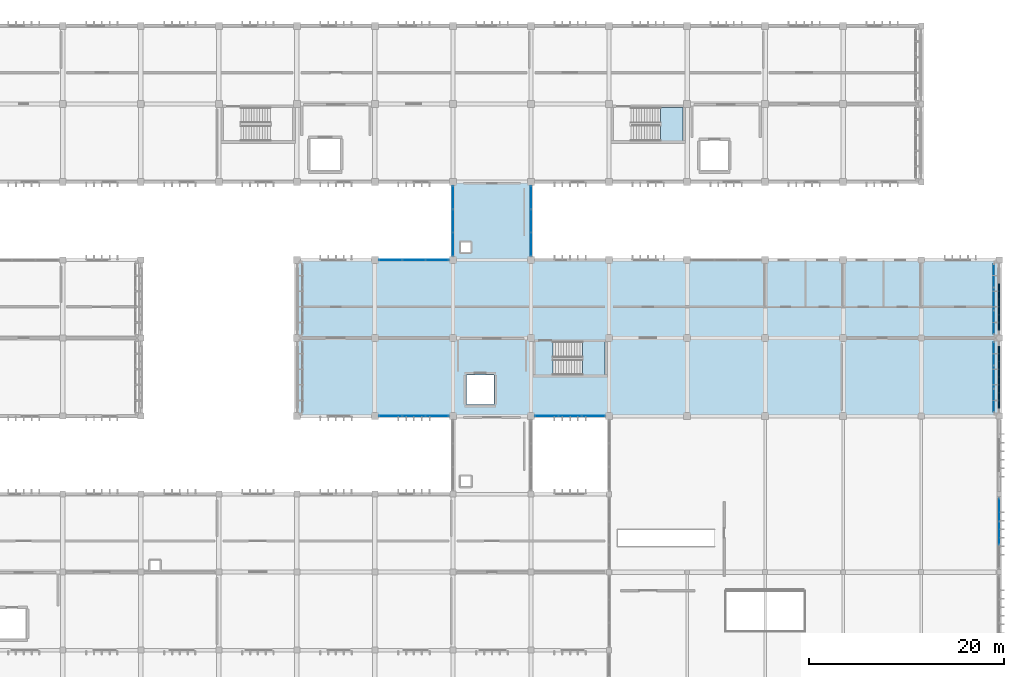
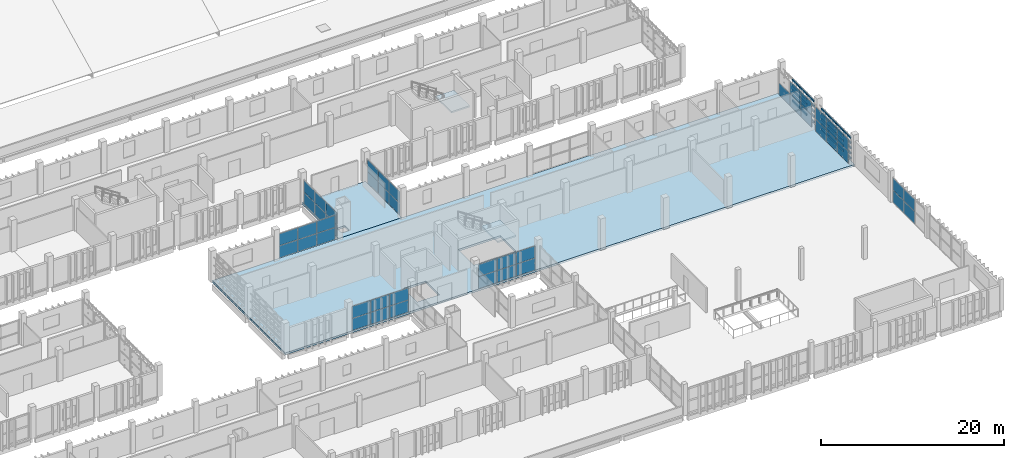
# One storey, part 96 of 137: 80 plates, 4 slabs, 10 elements without a shape of their own.
"""IFC4 building model written with IfcOpenShell, lengths in metres."""

from ifc_helpers import new_model, si_unit, direction, frame, origin, origin_2d, place, context, subcontext, project, spatial, polyline, rectangle, outline, extrude, material, layer, layer_set, type_object, element, aggregate, save


model = new_model("IFC4")

# Units and contexts
model_context = context("Model", 3, precision=1e-05, world=origin(), true_north=direction((0.0, 1.0)))
body_context = subcontext(model_context, "Body", "Model", "MODEL_VIEW")
ifc_project = project(units=[si_unit("LENGTHUNIT", "METRE"), si_unit("AREAUNIT", "SQUARE_METRE"), si_unit("VOLUMEUNIT", "CUBIC_METRE"), si_unit("PLANEANGLEUNIT", "RADIAN"), si_unit("MASSUNIT", "GRAM", prefix="KILO")], contexts=[model_context])

# Site, building, storey
site_placement = place(None, origin())
site = spatial("IfcSite", under=ifc_project, at=site_placement, CompositionType="ELEMENT")
building_placement = place(site_placement, origin())
building = spatial("IfcBuilding", under=site, at=building_placement, Name="Jelvoka-Kovrelna Polytechnic", CompositionType="ELEMENT")
storey_placement = place(building_placement, frame((0.0, 0.0, 9.60009765625)))
storey = spatial("IfcBuildingStorey", under=building, at=storey_placement, Name="L03", CompositionType="ELEMENT", Elevation=9.60009765625)

# Curtain wall, plates
ifc_material_1 = material(Name="Anodised aluminium 6063-T6", Category="aluminium")
ifc_layer_1 = layer(ifc_material_1, 0.159912109375)
ifc_layer_set_1 = layer_set([ifc_layer_1], Name="Anodised aluminium 6063-T6")
curtain_wall_type_1 = type_object("IfcCurtainWallType", Name="CW_Recessed_A", PredefinedType="NOTDEFINED", material=ifc_layer_set_1)
curtain_wall_1_placement = place(storey_placement, origin())
curtain_wall_1 = element("IfcCurtainWall", 1, at=curtain_wall_1_placement, inside=storey, type_object=curtain_wall_type_1, Name="L03 glazed curtain wall 054", PredefinedType="NOTDEFINED")
ifc_material_2 = material(Name="Solar-control double glazing", Category="glass")
ifc_layer_2 = layer(ifc_material_2, 0.028076171875)
ifc_layer_set_2 = layer_set([ifc_layer_2], Name="Solar-control double glazing")
plate_type_1 = type_object("IfcPlateType", Name="Panel_GP-01", PredefinedType="CURTAIN_PANEL", material=ifc_layer_set_2)
plate_1_placement = place(storey_placement, frame((142.385009765625, 32.0, 0.052001953125), z_axis=(0.0, 0.0, 1.0), x_axis=(-1.0, 0.0, 0.0)))
plate_1 = element("IfcPlate", 2, at=plate_1_placement, type_object=plate_type_1, Name="CW-01 panel 1.1", PredefinedType="CURTAIN_PANEL", context=body_context, shape_type="SweptSolid", body=[
    extrude(rectangle(XDim=2.326171875, YDim=0.028076171875, at=origin_2d()), origin(), (0.0, 0.0, 1.0), 1.588623046875),
])
plate_2_placement = place(storey_placement, frame((142.385009765625, 32.0, 1.684326171875), z_axis=(0.0, 0.0, 1.0), x_axis=(-1.0, 0.0, 0.0)))
plate_2 = element("IfcPlate", 3, at=plate_2_placement, type_object=plate_type_1, Name="CW-01 panel 1.2", PredefinedType="CURTAIN_PANEL", context=body_context, shape_type="SweptSolid", body=[
    extrude(rectangle(XDim=2.326171875, YDim=0.028076171875, at=origin_2d()), origin(), (0.0, 0.0, 1.0), 1.588623046875),
])
plate_3_placement = place(storey_placement, frame((140.0, 32.0, 0.052001953125), z_axis=(0.0, 0.0, 1.0), x_axis=(-1.0, 0.0, 0.0)))
plate_3 = element("IfcPlate", 4, at=plate_3_placement, type_object=plate_type_1, Name="CW-01 panel 2.1", PredefinedType="CURTAIN_PANEL", context=body_context, shape_type="SweptSolid", body=[
    extrude(rectangle(XDim=2.356201171875, YDim=0.028076171875, at=origin_2d()), origin(), (0.0, 0.0, 1.0), 1.588623046875),
])
plate_4_placement = place(storey_placement, frame((140.0, 32.0, 1.684326171875), z_axis=(0.0, 0.0, 1.0), x_axis=(-1.0, 0.0, 0.0)))
plate_4 = element("IfcPlate", 5, at=plate_4_placement, type_object=plate_type_1, Name="CW-01 panel 2.2", PredefinedType="CURTAIN_PANEL", context=body_context, shape_type="SweptSolid", body=[
    extrude(rectangle(XDim=2.356201171875, YDim=0.028076171875, at=origin_2d()), origin(), (0.0, 0.0, 1.0), 1.588623046875),
])
plate_5_placement = place(storey_placement, frame((137.614990234375, 32.0, 0.052001953125), z_axis=(0.0, 0.0, 1.0), x_axis=(-1.0, 0.0, 0.0)))
plate_5 = element("IfcPlate", 6, at=plate_5_placement, type_object=plate_type_1, Name="CW-01 panel 3.1", PredefinedType="CURTAIN_PANEL", context=body_context, shape_type="SweptSolid", body=[
    extrude(rectangle(XDim=2.326171875, YDim=0.028076171875, at=origin_2d()), origin(), (0.0, 0.0, 1.0), 1.588623046875),
])
plate_6_placement = place(storey_placement, frame((137.614990234375, 32.0, 1.684326171875), z_axis=(0.0, 0.0, 1.0), x_axis=(-1.0, 0.0, 0.0)))
plate_6 = element("IfcPlate", 7, at=plate_6_placement, type_object=plate_type_1, Name="CW-01 panel 3.2", PredefinedType="CURTAIN_PANEL", context=body_context, shape_type="SweptSolid", body=[
    extrude(rectangle(XDim=2.326171875, YDim=0.028076171875, at=origin_2d()), origin(), (0.0, 0.0, 1.0), 1.588623046875),
])
aggregate(curtain_wall_1, [plate_1, plate_2, plate_3, plate_4, plate_5, plate_6])

curtain_wall_2_placement = place(storey_placement, origin())
curtain_wall_2 = element("IfcCurtainWall", 8, at=curtain_wall_2_placement, inside=storey, type_object=curtain_wall_type_1, Name="L03 glazed curtain wall 055", PredefinedType="NOTDEFINED")
plate_7_placement = place(storey_placement, frame((137.614990234375, 48.0, 0.052001953125), z_axis=(0.0, 0.0, 1.0), x_axis=(1.0, 0.0, 0.0)))
plate_7 = element("IfcPlate", 9, at=plate_7_placement, type_object=plate_type_1, Name="CW-01 panel 1.1", PredefinedType="CURTAIN_PANEL", context=body_context, shape_type="SweptSolid", body=[
    extrude(rectangle(XDim=2.326171875, YDim=0.028076171875, at=origin_2d()), origin(), (0.0, 0.0, 1.0), 1.588623046875),
])
plate_8_placement = place(storey_placement, frame((137.614990234375, 48.0, 1.684326171875), z_axis=(0.0, 0.0, 1.0), x_axis=(1.0, 0.0, 0.0)))
plate_8 = element("IfcPlate", 10, at=plate_8_placement, type_object=plate_type_1, Name="CW-01 panel 1.2", PredefinedType="CURTAIN_PANEL", context=body_context, shape_type="SweptSolid", body=[
    extrude(rectangle(XDim=2.326171875, YDim=0.028076171875, at=origin_2d()), origin(), (0.0, 0.0, 1.0), 1.588623046875),
])
plate_9_placement = place(storey_placement, frame((140.0, 48.0, 0.052001953125), z_axis=(0.0, 0.0, 1.0), x_axis=(1.0, 0.0, 0.0)))
plate_9 = element("IfcPlate", 11, at=plate_9_placement, type_object=plate_type_1, Name="CW-01 panel 2.1", PredefinedType="CURTAIN_PANEL", context=body_context, shape_type="SweptSolid", body=[
    extrude(rectangle(XDim=2.356201171875, YDim=0.028076171875, at=origin_2d()), origin(), (0.0, 0.0, 1.0), 1.588623046875),
])
plate_10_placement = place(storey_placement, frame((140.0, 48.0, 1.684326171875), z_axis=(0.0, 0.0, 1.0), x_axis=(1.0, 0.0, 0.0)))
plate_10 = element("IfcPlate", 12, at=plate_10_placement, type_object=plate_type_1, Name="CW-01 panel 2.2", PredefinedType="CURTAIN_PANEL", context=body_context, shape_type="SweptSolid", body=[
    extrude(rectangle(XDim=2.356201171875, YDim=0.028076171875, at=origin_2d()), origin(), (0.0, 0.0, 1.0), 1.588623046875),
])
plate_11_placement = place(storey_placement, frame((142.385009765625, 48.0, 0.052001953125), z_axis=(0.0, 0.0, 1.0), x_axis=(1.0, 0.0, 0.0)))
plate_11 = element("IfcPlate", 13, at=plate_11_placement, type_object=plate_type_1, Name="CW-01 panel 3.1", PredefinedType="CURTAIN_PANEL", context=body_context, shape_type="SweptSolid", body=[
    extrude(rectangle(XDim=2.326171875, YDim=0.028076171875, at=origin_2d()), origin(), (0.0, 0.0, 1.0), 1.588623046875),
])
plate_12_placement = place(storey_placement, frame((142.385009765625, 48.0, 1.684326171875), z_axis=(0.0, 0.0, 1.0), x_axis=(1.0, 0.0, 0.0)))
plate_12 = element("IfcPlate", 14, at=plate_12_placement, type_object=plate_type_1, Name="CW-01 panel 3.2", PredefinedType="CURTAIN_PANEL", context=body_context, shape_type="SweptSolid", body=[
    extrude(rectangle(XDim=2.326171875, YDim=0.028076171875, at=origin_2d()), origin(), (0.0, 0.0, 1.0), 1.588623046875),
])
aggregate(curtain_wall_2, [plate_7, plate_8, plate_9, plate_10, plate_11, plate_12])

curtain_wall_3_placement = place(storey_placement, origin())
curtain_wall_3 = element("IfcCurtainWall", 15, at=curtain_wall_3_placement, inside=storey, type_object=curtain_wall_type_1, Name="L03 glazed curtain wall 056", PredefinedType="NOTDEFINED")
plate_13_placement = place(storey_placement, frame((158.385009765625, 32.0, 0.052001953125), z_axis=(0.0, 0.0, 1.0), x_axis=(-1.0, 0.0, 0.0)))
plate_13 = element("IfcPlate", 16, at=plate_13_placement, type_object=plate_type_1, Name="CW-01 panel 1.1", PredefinedType="CURTAIN_PANEL", context=body_context, shape_type="SweptSolid", body=[
    extrude(rectangle(XDim=2.326171875, YDim=0.028076171875, at=origin_2d()), origin(), (0.0, 0.0, 1.0), 1.588623046875),
])
plate_14_placement = place(storey_placement, frame((158.385009765625, 32.0, 1.684326171875), z_axis=(0.0, 0.0, 1.0), x_axis=(-1.0, 0.0, 0.0)))
plate_14 = element("IfcPlate", 17, at=plate_14_placement, type_object=plate_type_1, Name="CW-01 panel 1.2", PredefinedType="CURTAIN_PANEL", context=body_context, shape_type="SweptSolid", body=[
    extrude(rectangle(XDim=2.326171875, YDim=0.028076171875, at=origin_2d()), origin(), (0.0, 0.0, 1.0), 1.588623046875),
])
plate_15_placement = place(storey_placement, frame((156.0, 32.0, 0.052001953125), z_axis=(0.0, 0.0, 1.0), x_axis=(-1.0, 0.0, 0.0)))
plate_15 = element("IfcPlate", 18, at=plate_15_placement, type_object=plate_type_1, Name="CW-01 panel 2.1", PredefinedType="CURTAIN_PANEL", context=body_context, shape_type="SweptSolid", body=[
    extrude(rectangle(XDim=2.356201171875, YDim=0.028076171875, at=origin_2d()), origin(), (0.0, 0.0, 1.0), 1.588623046875),
])
plate_16_placement = place(storey_placement, frame((156.0, 32.0, 1.684326171875), z_axis=(0.0, 0.0, 1.0), x_axis=(-1.0, 0.0, 0.0)))
plate_16 = element("IfcPlate", 19, at=plate_16_placement, type_object=plate_type_1, Name="CW-01 panel 2.2", PredefinedType="CURTAIN_PANEL", context=body_context, shape_type="SweptSolid", body=[
    extrude(rectangle(XDim=2.356201171875, YDim=0.028076171875, at=origin_2d()), origin(), (0.0, 0.0, 1.0), 1.588623046875),
])
plate_17_placement = place(storey_placement, frame((153.614990234375, 32.0, 0.052001953125), z_axis=(0.0, 0.0, 1.0), x_axis=(-1.0, 0.0, 0.0)))
plate_17 = element("IfcPlate", 20, at=plate_17_placement, type_object=plate_type_1, Name="CW-01 panel 3.1", PredefinedType="CURTAIN_PANEL", context=body_context, shape_type="SweptSolid", body=[
    extrude(rectangle(XDim=2.326171875, YDim=0.028076171875, at=origin_2d()), origin(), (0.0, 0.0, 1.0), 1.588623046875),
])
plate_18_placement = place(storey_placement, frame((153.614990234375, 32.0, 1.684326171875), z_axis=(0.0, 0.0, 1.0), x_axis=(-1.0, 0.0, 0.0)))
plate_18 = element("IfcPlate", 21, at=plate_18_placement, type_object=plate_type_1, Name="CW-01 panel 3.2", PredefinedType="CURTAIN_PANEL", context=body_context, shape_type="SweptSolid", body=[
    extrude(rectangle(XDim=2.326171875, YDim=0.028076171875, at=origin_2d()), origin(), (0.0, 0.0, 1.0), 1.588623046875),
])
aggregate(curtain_wall_3, [plate_13, plate_14, plate_15, plate_16, plate_17, plate_18])

curtain_wall_4_placement = place(storey_placement, origin())
curtain_wall_4 = element("IfcCurtainWall", 22, at=curtain_wall_4_placement, inside=storey, type_object=curtain_wall_type_1, Name="L03 glazed curtain wall 060", PredefinedType="NOTDEFINED")
plate_19_placement = place(storey_placement, frame((199.43994140625, 38.385009765625, 0.0517578125), z_axis=(0.0, 0.0, 1.0), x_axis=(0.0, -1.0, 0.0)))
plate_19 = element("IfcPlate", 23, at=plate_19_placement, type_object=plate_type_1, Name="CW-01 panel 1.1", PredefinedType="CURTAIN_PANEL", context=body_context, shape_type="SweptSolid", body=[
    extrude(rectangle(XDim=2.326171875, YDim=0.028076171875, at=origin_2d()), origin(), (0.0, 0.0, 1.0), 1.60107421875),
])
plate_20_placement = place(storey_placement, frame((199.43994140625, 38.385009765625, 1.69677734375), z_axis=(0.0, 0.0, 1.0), x_axis=(0.0, -1.0, 0.0)))
plate_20 = element("IfcPlate", 24, at=plate_20_placement, type_object=plate_type_1, Name="CW-01 panel 1.2", PredefinedType="CURTAIN_PANEL", context=body_context, shape_type="SweptSolid", body=[
    extrude(rectangle(XDim=2.326171875, YDim=0.028076171875, at=origin_2d()), origin(), (0.0, 0.0, 1.0), 1.60107421875),
])
plate_21_placement = place(storey_placement, frame((199.43994140625, 36.0, 0.0517578125), z_axis=(0.0, 0.0, 1.0), x_axis=(0.0, -1.0, 0.0)))
plate_21 = element("IfcPlate", 25, at=plate_21_placement, type_object=plate_type_1, Name="CW-01 panel 2.1", PredefinedType="CURTAIN_PANEL", context=body_context, shape_type="SweptSolid", body=[
    extrude(rectangle(XDim=2.356201171875, YDim=0.028076171875, at=origin_2d()), origin(), (0.0, 0.0, 1.0), 1.60107421875),
])
plate_22_placement = place(storey_placement, frame((199.43994140625, 36.0, 1.69677734375), z_axis=(0.0, 0.0, 1.0), x_axis=(0.0, -1.0, 0.0)))
plate_22 = element("IfcPlate", 26, at=plate_22_placement, type_object=plate_type_1, Name="CW-01 panel 2.2", PredefinedType="CURTAIN_PANEL", context=body_context, shape_type="SweptSolid", body=[
    extrude(rectangle(XDim=2.356201171875, YDim=0.028076171875, at=origin_2d()), origin(), (0.0, 0.0, 1.0), 1.60107421875),
])
plate_23_placement = place(storey_placement, frame((199.43994140625, 33.614990234375, 0.0517578125), z_axis=(0.0, 0.0, 1.0), x_axis=(0.0, -1.0, 0.0)))
plate_23 = element("IfcPlate", 27, at=plate_23_placement, type_object=plate_type_1, Name="CW-01 panel 3.1", PredefinedType="CURTAIN_PANEL", context=body_context, shape_type="SweptSolid", body=[
    extrude(rectangle(XDim=2.326171875, YDim=0.028076171875, at=origin_2d()), origin(), (0.0, 0.0, 1.0), 1.60107421875),
])
plate_24_placement = place(storey_placement, frame((199.43994140625, 33.614990234375, 1.69677734375), z_axis=(0.0, 0.0, 1.0), x_axis=(0.0, -1.0, 0.0)))
plate_24 = element("IfcPlate", 28, at=plate_24_placement, type_object=plate_type_1, Name="CW-01 panel 3.2", PredefinedType="CURTAIN_PANEL", context=body_context, shape_type="SweptSolid", body=[
    extrude(rectangle(XDim=2.326171875, YDim=0.028076171875, at=origin_2d()), origin(), (0.0, 0.0, 1.0), 1.60107421875),
])
aggregate(curtain_wall_4, [plate_19, plate_20, plate_21, plate_22, plate_23, plate_24])

curtain_wall_5_placement = place(storey_placement, origin())
curtain_wall_5 = element("IfcCurtainWall", 29, at=curtain_wall_5_placement, inside=storey, type_object=curtain_wall_type_1, Name="L03 glazed curtain wall 061", PredefinedType="NOTDEFINED")
plate_25_placement = place(storey_placement, frame((199.43994140625, 46.385009765625, 0.0517578125), z_axis=(0.0, 0.0, 1.0), x_axis=(0.0, -1.0, 0.0)))
plate_25 = element("IfcPlate", 30, at=plate_25_placement, type_object=plate_type_1, Name="CW-01 panel 1.1", PredefinedType="CURTAIN_PANEL", context=body_context, shape_type="SweptSolid", body=[
    extrude(rectangle(XDim=2.326171875, YDim=0.028076171875, at=origin_2d()), origin(), (0.0, 0.0, 1.0), 1.60107421875),
])
plate_26_placement = place(storey_placement, frame((199.43994140625, 44.0, 0.0517578125), z_axis=(0.0, 0.0, 1.0), x_axis=(0.0, -1.0, 0.0)))
plate_26 = element("IfcPlate", 31, at=plate_26_placement, type_object=plate_type_1, Name="CW-01 panel 2.1", PredefinedType="CURTAIN_PANEL", context=body_context, shape_type="SweptSolid", body=[
    extrude(rectangle(XDim=2.356201171875, YDim=0.028076171875, at=origin_2d()), origin(), (0.0, 0.0, 1.0), 1.60107421875),
])
plate_27_placement = place(storey_placement, frame((199.43994140625, 44.0, 1.69677734375), z_axis=(0.0, 0.0, 1.0), x_axis=(0.0, -1.0, 0.0)))
plate_27 = element("IfcPlate", 32, at=plate_27_placement, type_object=plate_type_1, Name="CW-01 panel 2.2", PredefinedType="CURTAIN_PANEL", context=body_context, shape_type="SweptSolid", body=[
    extrude(rectangle(XDim=2.356201171875, YDim=0.028076171875, at=origin_2d()), origin(), (0.0, 0.0, 1.0), 1.60107421875),
])
plate_28_placement = place(storey_placement, frame((199.43994140625, 41.614990234375, 0.0517578125), z_axis=(0.0, 0.0, 1.0), x_axis=(0.0, -1.0, 0.0)))
plate_28 = element("IfcPlate", 33, at=plate_28_placement, type_object=plate_type_1, Name="CW-01 panel 3.1", PredefinedType="CURTAIN_PANEL", context=body_context, shape_type="SweptSolid", body=[
    extrude(rectangle(XDim=2.326171875, YDim=0.028076171875, at=origin_2d()), origin(), (0.0, 0.0, 1.0), 1.60107421875),
])
plate_29_placement = place(storey_placement, frame((199.43994140625, 41.614990234375, 1.69677734375), z_axis=(0.0, 0.0, 1.0), x_axis=(0.0, -1.0, 0.0)))
plate_29 = element("IfcPlate", 34, at=plate_29_placement, type_object=plate_type_1, Name="CW-01 panel 3.2", PredefinedType="CURTAIN_PANEL", context=body_context, shape_type="SweptSolid", body=[
    extrude(rectangle(XDim=2.326171875, YDim=0.028076171875, at=origin_2d()), origin(), (0.0, 0.0, 1.0), 1.60107421875),
])
aggregate(curtain_wall_5, [plate_25, plate_26, plate_27, plate_28, plate_29])

ifc_material_3 = material(Name="Anodised aluminium 6063-T6", Category="aluminium")
ifc_layer_3 = layer(ifc_material_3, 0.159912109375)
ifc_layer_set_3 = layer_set([ifc_layer_3], Name="Anodised aluminium 6063-T6")
curtain_wall_type_2 = type_object("IfcCurtainWallType", Name="CW_LinkBridge", PredefinedType="NOTDEFINED", material=ifc_layer_set_3)
curtain_wall_6_placement = place(storey_placement, origin())
curtain_wall_6 = element("IfcCurtainWall", 35, at=curtain_wall_6_placement, inside=storey, type_object=curtain_wall_type_2, Name="L03 glazed curtain wall 120", PredefinedType="NOTDEFINED")
ifc_material_4 = material(Name="Solar-control double glazing", Category="glass")
ifc_layer_4 = layer(ifc_material_4, 0.02392578125)
ifc_layer_set_4 = layer_set([ifc_layer_4], Name="Solar-control double glazing")
plate_type_2 = type_object("IfcPlateType", Name="Panel_GP-04", PredefinedType="CURTAIN_PANEL", material=ifc_layer_set_4)
plate_30_placement = place(storey_placement, frame((144.0, 49.614990234375, 0.0517578125), z_axis=(0.0, 0.0, 1.0), x_axis=(0.0, 1.0, 0.0)))
plate_30 = element("IfcPlate", 36, at=plate_30_placement, type_object=plate_type_2, Name="CW-04 panel 1.1", PredefinedType="CURTAIN_PANEL", context=body_context, shape_type="SweptSolid", body=[
    extrude(rectangle(XDim=2.326171875, YDim=0.02392578125, at=origin_2d()), origin(), (0.0, 0.0, 1.0), 1.53857421875),
])
plate_31_placement = place(storey_placement, frame((144.0, 49.614990234375, 1.63427734375), z_axis=(0.0, 0.0, 1.0), x_axis=(0.0, 1.0, 0.0)))
plate_31 = element("IfcPlate", 37, at=plate_31_placement, type_object=plate_type_2, Name="CW-04 panel 1.2", PredefinedType="CURTAIN_PANEL", context=body_context, shape_type="SweptSolid", body=[
    extrude(rectangle(XDim=2.326171875, YDim=0.02392578125, at=origin_2d()), origin(), (0.0, 0.0, 1.0), 1.53857421875),
])
plate_32_placement = place(storey_placement, frame((144.0, 52.0, 0.0517578125), z_axis=(0.0, 0.0, 1.0), x_axis=(0.0, 1.0, 0.0)))
plate_32 = element("IfcPlate", 38, at=plate_32_placement, type_object=plate_type_2, Name="CW-04 panel 2.1", PredefinedType="CURTAIN_PANEL", context=body_context, shape_type="SweptSolid", body=[
    extrude(rectangle(XDim=2.356201171875, YDim=0.02392578125, at=origin_2d()), origin(), (0.0, 0.0, 1.0), 1.53857421875),
])
plate_33_placement = place(storey_placement, frame((144.0, 52.0, 1.63427734375), z_axis=(0.0, 0.0, 1.0), x_axis=(0.0, 1.0, 0.0)))
plate_33 = element("IfcPlate", 39, at=plate_33_placement, type_object=plate_type_2, Name="CW-04 panel 2.2", PredefinedType="CURTAIN_PANEL", context=body_context, shape_type="SweptSolid", body=[
    extrude(rectangle(XDim=2.356201171875, YDim=0.02392578125, at=origin_2d()), origin(), (0.0, 0.0, 1.0), 1.53857421875),
])
plate_34_placement = place(storey_placement, frame((144.0, 54.385009765625, 0.0517578125), z_axis=(0.0, 0.0, 1.0), x_axis=(0.0, 1.0, 0.0)))
plate_34 = element("IfcPlate", 40, at=plate_34_placement, type_object=plate_type_2, Name="CW-04 panel 3.1", PredefinedType="CURTAIN_PANEL", context=body_context, shape_type="SweptSolid", body=[
    extrude(rectangle(XDim=2.326171875, YDim=0.02392578125, at=origin_2d()), origin(), (0.0, 0.0, 1.0), 1.53857421875),
])
plate_35_placement = place(storey_placement, frame((144.0, 54.385009765625, 1.63427734375), z_axis=(0.0, 0.0, 1.0), x_axis=(0.0, 1.0, 0.0)))
plate_35 = element("IfcPlate", 41, at=plate_35_placement, type_object=plate_type_2, Name="CW-04 panel 3.2", PredefinedType="CURTAIN_PANEL", context=body_context, shape_type="SweptSolid", body=[
    extrude(rectangle(XDim=2.326171875, YDim=0.02392578125, at=origin_2d()), origin(), (0.0, 0.0, 1.0), 1.53857421875),
])
aggregate(curtain_wall_6, [plate_30, plate_31, plate_32, plate_33, plate_34, plate_35])

curtain_wall_7_placement = place(storey_placement, origin())
curtain_wall_7 = element("IfcCurtainWall", 42, at=curtain_wall_7_placement, inside=storey, type_object=curtain_wall_type_2, Name="L03 glazed curtain wall 121", PredefinedType="NOTDEFINED")
plate_36_placement = place(storey_placement, frame((152.0, 54.385009765625, 0.0517578125), z_axis=(0.0, 0.0, 1.0), x_axis=(0.0, -1.0, 0.0)))
plate_36 = element("IfcPlate", 43, at=plate_36_placement, type_object=plate_type_2, Name="CW-04 panel 1.1", PredefinedType="CURTAIN_PANEL", context=body_context, shape_type="SweptSolid", body=[
    extrude(rectangle(XDim=2.326171875, YDim=0.02392578125, at=origin_2d()), origin(), (0.0, 0.0, 1.0), 1.53857421875),
])
plate_37_placement = place(storey_placement, frame((152.0, 54.385009765625, 1.63427734375), z_axis=(0.0, 0.0, 1.0), x_axis=(0.0, -1.0, 0.0)))
plate_37 = element("IfcPlate", 44, at=plate_37_placement, type_object=plate_type_2, Name="CW-04 panel 1.2", PredefinedType="CURTAIN_PANEL", context=body_context, shape_type="SweptSolid", body=[
    extrude(rectangle(XDim=2.326171875, YDim=0.02392578125, at=origin_2d()), origin(), (0.0, 0.0, 1.0), 1.53857421875),
])
plate_38_placement = place(storey_placement, frame((152.0, 52.0, 0.0517578125), z_axis=(0.0, 0.0, 1.0), x_axis=(0.0, -1.0, 0.0)))
plate_38 = element("IfcPlate", 45, at=plate_38_placement, type_object=plate_type_2, Name="CW-04 panel 2.1", PredefinedType="CURTAIN_PANEL", context=body_context, shape_type="SweptSolid", body=[
    extrude(rectangle(XDim=2.356201171875, YDim=0.02392578125, at=origin_2d()), origin(), (0.0, 0.0, 1.0), 1.53857421875),
])
plate_39_placement = place(storey_placement, frame((152.0, 52.0, 1.63427734375), z_axis=(0.0, 0.0, 1.0), x_axis=(0.0, -1.0, 0.0)))
plate_39 = element("IfcPlate", 46, at=plate_39_placement, type_object=plate_type_2, Name="CW-04 panel 2.2", PredefinedType="CURTAIN_PANEL", context=body_context, shape_type="SweptSolid", body=[
    extrude(rectangle(XDim=2.356201171875, YDim=0.02392578125, at=origin_2d()), origin(), (0.0, 0.0, 1.0), 1.53857421875),
])
plate_40_placement = place(storey_placement, frame((152.0, 49.614990234375, 0.0517578125), z_axis=(0.0, 0.0, 1.0), x_axis=(0.0, -1.0, 0.0)))
plate_40 = element("IfcPlate", 47, at=plate_40_placement, type_object=plate_type_2, Name="CW-04 panel 3.1", PredefinedType="CURTAIN_PANEL", context=body_context, shape_type="SweptSolid", body=[
    extrude(rectangle(XDim=2.326171875, YDim=0.02392578125, at=origin_2d()), origin(), (0.0, 0.0, 1.0), 1.53857421875),
])
plate_41_placement = place(storey_placement, frame((152.0, 49.614990234375, 1.63427734375), z_axis=(0.0, 0.0, 1.0), x_axis=(0.0, -1.0, 0.0)))
plate_41 = element("IfcPlate", 48, at=plate_41_placement, type_object=plate_type_2, Name="CW-04 panel 3.2", PredefinedType="CURTAIN_PANEL", context=body_context, shape_type="SweptSolid", body=[
    extrude(rectangle(XDim=2.326171875, YDim=0.02392578125, at=origin_2d()), origin(), (0.0, 0.0, 1.0), 1.53857421875),
])
aggregate(curtain_wall_7, [plate_36, plate_37, plate_38, plate_39, plate_40, plate_41])

ifc_material_5 = material(Name="Anodised aluminium 6063-T6", Category="aluminium")
ifc_layer_5 = layer(ifc_material_5, 0.179931640625)
ifc_layer_set_5 = layer_set([ifc_layer_5], Name="Anodised aluminium 6063-T6")
curtain_wall_type_3 = type_object("IfcCurtainWallType", Name="CW_Pavilion", PredefinedType="NOTDEFINED", material=ifc_layer_set_5)
curtain_wall_8_placement = place(storey_placement, origin())
curtain_wall_8 = element("IfcCurtainWall", 49, at=curtain_wall_8_placement, inside=storey, type_object=curtain_wall_type_3, Name="L03 glazed curtain wall 293", PredefinedType="NOTDEFINED")
ifc_material_6 = material(Name="Solar-control double glazing", Category="glass")
ifc_layer_6 = layer(ifc_material_6, 0.030029296875)
ifc_layer_set_6 = layer_set([ifc_layer_6], Name="Solar-control double glazing")
plate_type_3 = type_object("IfcPlateType", Name="Panel_GP-05", PredefinedType="CURTAIN_PANEL", material=ifc_layer_set_6)
plate_42_placement = place(storey_placement, frame((200.0, 22.3837890625, 0.056884765625), z_axis=(0.0, 0.0, 1.0), x_axis=(0.0, -1.0, 0.0)))
plate_42 = element("IfcPlate", 50, at=plate_42_placement, type_object=plate_type_3, Name="CW-05 panel 1.1", PredefinedType="CURTAIN_PANEL", context=body_context, shape_type="SweptSolid", body=[
    extrude(rectangle(XDim=2.318603515625, YDim=0.030029296875, at=origin_2d()), origin(), (0.0, 0.0, 1.0), 1.593505859375),
])
plate_43_placement = place(storey_placement, frame((200.0, 22.3837890625, 1.699462890625), z_axis=(0.0, 0.0, 1.0), x_axis=(0.0, -1.0, 0.0)))
plate_43 = element("IfcPlate", 51, at=plate_43_placement, type_object=plate_type_3, Name="CW-05 panel 1.2", PredefinedType="CURTAIN_PANEL", context=body_context, shape_type="SweptSolid", body=[
    extrude(rectangle(XDim=2.318603515625, YDim=0.030029296875, at=origin_2d()), origin(), (0.0, 0.0, 1.0), 1.593505859375),
])
plate_44_placement = place(storey_placement, frame((200.0, 20.0, 0.056884765625), z_axis=(0.0, 0.0, 1.0), x_axis=(0.0, -1.0, 0.0)))
plate_44 = element("IfcPlate", 52, at=plate_44_placement, type_object=plate_type_3, Name="CW-05 panel 2.1", PredefinedType="CURTAIN_PANEL", context=body_context, shape_type="SweptSolid", body=[
    extrude(rectangle(XDim=2.35107421875, YDim=0.030029296875, at=origin_2d()), origin(), (0.0, 0.0, 1.0), 1.593505859375),
])
plate_45_placement = place(storey_placement, frame((200.0, 20.0, 1.699462890625), z_axis=(0.0, 0.0, 1.0), x_axis=(0.0, -1.0, 0.0)))
plate_45 = element("IfcPlate", 53, at=plate_45_placement, type_object=plate_type_3, Name="CW-05 panel 2.2", PredefinedType="CURTAIN_PANEL", context=body_context, shape_type="SweptSolid", body=[
    extrude(rectangle(XDim=2.35107421875, YDim=0.030029296875, at=origin_2d()), origin(), (0.0, 0.0, 1.0), 1.593505859375),
])
aggregate(curtain_wall_8, [plate_42, plate_43, plate_44, plate_45])

# Plates
ifc_material_7 = material(Name="Perforated fired terracotta block", Category="masonry")
ifc_layer_7 = layer(ifc_material_7, 0.14990234375)
ifc_layer_set_7 = layer_set([ifc_layer_7], Name="Perforated fired terracotta block")
plate_type_4 = type_object("IfcPlateType", Name="Screen_Terracotta_TP03", PredefinedType="USERDEFINED", material=ifc_layer_set_7)
for number, where, z_axis, x_axis, name in (
    (54, (199.97998046875, 33.60009765625, 0.18994140625), (0.0, 0.0, 1.0), (0.0, 1.0, 0.0), "L03 perforated terracotta lattice band 0621"),
    (55, (199.97998046875, 33.60009765625, 0.88232421875), (0.0, 0.0, 1.0), (0.0, 1.0, 0.0), "L03 perforated terracotta lattice band 0622"),
    (56, (199.97998046875, 33.60009765625, 1.57470703125), (0.0, 0.0, 1.0), (0.0, 1.0, 0.0), "L03 perforated terracotta lattice band 0623"),
    (57, (199.97998046875, 33.60009765625, 2.267578125), (0.0, 0.0, 1.0), (0.0, 1.0, 0.0), "L03 perforated terracotta lattice band 0624"),
    (58, (199.97998046875, 33.60009765625, 2.9599609375), (0.0, 0.0, 1.0), (0.0, 1.0, 0.0), "L03 perforated terracotta lattice band 0625"),
    (59, (199.97998046875, 35.199951171875, 0.18994140625), (0.0, 0.0, 1.0), (0.0, 1.0, 0.0), "L03 perforated terracotta lattice band 0626"),
    (60, (199.97998046875, 35.199951171875, 0.88232421875), (0.0, 0.0, 1.0), (0.0, 1.0, 0.0), "L03 perforated terracotta lattice band 0627"),
    (61, (199.97998046875, 35.199951171875, 1.57470703125), (0.0, 0.0, 1.0), (0.0, 1.0, 0.0), "L03 perforated terracotta lattice band 0628"),
    (62, (199.97998046875, 35.199951171875, 2.267578125), (0.0, 0.0, 1.0), (0.0, 1.0, 0.0), "L03 perforated terracotta lattice band 0629"),
    (63, (199.97998046875, 35.199951171875, 2.9599609375), (0.0, 0.0, 1.0), (0.0, 1.0, 0.0), "L03 perforated terracotta lattice band 0630"),
    (64, (199.97998046875, 36.800048828125, 0.18994140625), (0.0, 0.0, 1.0), (0.0, 1.0, 0.0), "L03 perforated terracotta lattice band 0631"),
    (65, (199.97998046875, 36.800048828125, 0.88232421875), (0.0, 0.0, 1.0), (0.0, 1.0, 0.0), "L03 perforated terracotta lattice band 0632"),
    (66, (199.97998046875, 36.800048828125, 1.57470703125), (0.0, 0.0, 1.0), (0.0, 1.0, 0.0), "L03 perforated terracotta lattice band 0633"),
    (67, (199.97998046875, 36.800048828125, 2.267578125), (0.0, 0.0, 1.0), (0.0, 1.0, 0.0), "L03 perforated terracotta lattice band 0634"),
    (68, (199.97998046875, 36.800048828125, 2.9599609375), (0.0, 0.0, 1.0), (0.0, 1.0, 0.0), "L03 perforated terracotta lattice band 0635"),
    (69, (199.97998046875, 38.39990234375, 0.18994140625), (0.0, 0.0, 1.0), (0.0, 1.0, 0.0), "L03 perforated terracotta lattice band 0636"),
    (70, (199.97998046875, 38.39990234375, 0.88232421875), (0.0, 0.0, 1.0), (0.0, 1.0, 0.0), "L03 perforated terracotta lattice band 0637"),
    (71, (199.97998046875, 38.39990234375, 1.57470703125), (0.0, 0.0, 1.0), (0.0, 1.0, 0.0), "L03 perforated terracotta lattice band 0638"),
    (72, (199.97998046875, 38.39990234375, 2.267578125), (0.0, 0.0, 1.0), (0.0, 1.0, 0.0), "L03 perforated terracotta lattice band 0639"),
    (73, (199.97998046875, 38.39990234375, 2.9599609375), (0.0, 0.0, 1.0), (0.0, 1.0, 0.0), "L03 perforated terracotta lattice band 0640"),
    (74, (199.97998046875, 41.60009765625, 0.18994140625), (0.0, 0.0, 1.0), (0.0, 1.0, 0.0), "L03 perforated terracotta lattice band 0641"),
    (75, (199.97998046875, 41.60009765625, 0.88232421875), (0.0, 0.0, 1.0), (0.0, 1.0, 0.0), "L03 perforated terracotta lattice band 0642"),
    (76, (199.97998046875, 41.60009765625, 1.57470703125), (0.0, 0.0, 1.0), (0.0, 1.0, 0.0), "L03 perforated terracotta lattice band 0643"),
    (77, (199.97998046875, 41.60009765625, 2.267578125), (0.0, 0.0, 1.0), (0.0, 1.0, 0.0), "L03 perforated terracotta lattice band 0644"),
    (78, (199.97998046875, 41.60009765625, 2.9599609375), (0.0, 0.0, 1.0), (0.0, 1.0, 0.0), "L03 perforated terracotta lattice band 0645"),
    (79, (199.97998046875, 43.199951171875, 0.18994140625), (0.0, 0.0, 1.0), (0.0, 1.0, 0.0), "L03 perforated terracotta lattice band 0646"),
    (80, (199.97998046875, 43.199951171875, 0.88232421875), (0.0, 0.0, 1.0), (0.0, 1.0, 0.0), "L03 perforated terracotta lattice band 0647"),
    (81, (199.97998046875, 43.199951171875, 1.57470703125), (0.0, 0.0, 1.0), (0.0, 1.0, 0.0), "L03 perforated terracotta lattice band 0648"),
    (82, (199.97998046875, 43.199951171875, 2.267578125), (0.0, 0.0, 1.0), (0.0, 1.0, 0.0), "L03 perforated terracotta lattice band 0649"),
    (83, (199.97998046875, 43.199951171875, 2.9599609375), (0.0, 0.0, 1.0), (0.0, 1.0, 0.0), "L03 perforated terracotta lattice band 0650"),
    (84, (199.97998046875, 44.800048828125, 0.18994140625), (0.0, 0.0, 1.0), (0.0, 1.0, 0.0), "L03 perforated terracotta lattice band 0651"),
    (85, (199.97998046875, 44.800048828125, 0.88232421875), (0.0, 0.0, 1.0), (0.0, 1.0, 0.0), "L03 perforated terracotta lattice band 0652"),
    (86, (199.97998046875, 44.800048828125, 1.57470703125), (0.0, 0.0, 1.0), (0.0, 1.0, 0.0), "L03 perforated terracotta lattice band 0653"),
    (87, (199.97998046875, 44.800048828125, 2.267578125), (0.0, 0.0, 1.0), (0.0, 1.0, 0.0), "L03 perforated terracotta lattice band 0654"),
    (88, (199.97998046875, 44.800048828125, 2.9599609375), (0.0, 0.0, 1.0), (0.0, 1.0, 0.0), "L03 perforated terracotta lattice band 0655"),
):
    element("IfcPlate", number, at=place(storey_placement, frame(where, z_axis=z_axis, x_axis=x_axis)), inside=storey, type_object=plate_type_4, Name=name, ObjectType="SCREEN PANEL", PredefinedType="USERDEFINED", context=body_context, shape_type="SweptSolid", body=[
        extrude(rectangle(XDim=1.56005859375, YDim=0.14990234375, at=origin_2d()), origin(), (0.0, 0.0, 1.0), 0.260009765625),
    ])

# Slabs
ifc_material_8 = material(Name="Concrete C35/45", Category="concrete")
ifc_layer_8 = layer(ifc_material_8, 0.264892578125)
ifc_layer_set_8 = layer_set([ifc_layer_8], Name="Concrete C35/45")
slab_type_1 = type_object("IfcSlabType", Name="Slab_Floor_265", PredefinedType="FLOOR", material=ifc_layer_set_8)
slab_1_placement = place(storey_placement, frame((0.0, 0.0, -0.26513671875)))
element("IfcSlab", 89, at=slab_1_placement, inside=storey, type_object=slab_type_1, Name="L03 B2E structural slab", PredefinedType="FLOOR", context=body_context, shape_type="SweptSolid", body=[
    extrude(outline(polyline([(128.0, 32.0), (200.0, 32.0), (200.0, 48.0), (128.0, 48.0), (128.0, 32.0)]), holes=[polyline([(145.39990234375, 33.199951171875), (148.199951171875, 33.199951171875), (148.199951171875, 36.199951171875), (145.39990234375, 36.199951171875), (145.39990234375, 33.199951171875)]), polyline([(154.264892578125, 36.199951171875), (159.60009765625, 36.199951171875), (159.60009765625, 39.639892578125), (154.264892578125, 39.639892578125), (154.264892578125, 36.199951171875)])]), origin(), (0.0, 0.0, 1.0), 0.26513671875),
])
slab_2_placement = place(storey_placement, frame((0.0, 0.0, -0.26513671875)))
element("IfcSlab", 90, at=slab_2_placement, inside=storey, type_object=slab_type_1, Name="L03 LNKNE structural slab", PredefinedType="FLOOR", context=body_context, shape_type="SweptSolid", body=[
    extrude(outline(polyline([(144.0, 48.0), (152.0, 48.0), (152.0, 56.0), (144.0, 56.0), (144.0, 48.0)]), holes=[polyline([(144.800048828125, 48.800048828125), (145.800048828125, 48.800048828125), (145.800048828125, 49.800048828125), (144.800048828125, 49.800048828125), (144.800048828125, 48.800048828125)])]), origin(), (0.0, 0.0, 1.0), 0.26513671875),
])

# Stair, slab
ifc_material_9 = material(Name="Concrete C35/45", Category="concrete")
stair_type = type_object("IfcStairType", Name="Stair_Dogleg_1620", PredefinedType="TWO_STRAIGHT_RUN_STAIR", material=ifc_material_9)
stair_1_placement = place(storey_placement, origin())
stair_1 = element("IfcStair", 91, at=stair_1_placement, inside=storey, type_object=stair_type, Name="L03 ST08", PredefinedType="TWO_STRAIGHT_RUN_STAIR")
ifc_material_10 = material(Name="Concrete C35/45", Category="concrete")
ifc_layer_9 = layer(ifc_material_10, 0.199951171875)
ifc_layer_set_9 = layer_set([ifc_layer_9], Name="Concrete C35/45")
slab_type_2 = type_object("IfcSlabType", Name="Slab_Stair_Landing_200", PredefinedType="LANDING", material=ifc_layer_set_9)
slab_3_placement = place(storey_placement, frame((0.0, 0.0, 1.89990234375)))
slab_3 = element("IfcSlab", 92, at=slab_3_placement, type_object=slab_type_2, Name="ST08 landing 1", PredefinedType="LANDING", context=body_context, shape_type="SweptSolid", body=[
    extrude(outline(polyline([(157.27490234375, 36.199951171875), (159.60009765625, 36.199951171875), (159.60009765625, 39.639892578125), (157.27490234375, 39.639892578125), (157.27490234375, 36.199951171875)])), origin(), (0.0, 0.0, 1.0), 0.199951171875),
])
aggregate(stair_1, [slab_3])

stair_2_placement = place(storey_placement, origin())
stair_2 = element("IfcStair", 93, at=stair_2_placement, inside=storey, type_object=stair_type, Name="L03 ST10", PredefinedType="TWO_STRAIGHT_RUN_STAIR")
slab_4_placement = place(storey_placement, frame((0.0, 0.0, 1.89990234375)))
slab_4 = element("IfcSlab", 94, at=slab_4_placement, type_object=slab_type_2, Name="ST10 landing 1", PredefinedType="LANDING", context=body_context, shape_type="SweptSolid", body=[
    extrude(outline(polyline([(165.27490234375, 60.199951171875), (167.60009765625, 60.199951171875), (167.60009765625, 63.639892578125), (165.27490234375, 63.639892578125), (165.27490234375, 60.199951171875)])), origin(), (0.0, 0.0, 1.0), 0.199951171875),
])
aggregate(stair_2, [slab_4])

save(model, "model.ifc")
